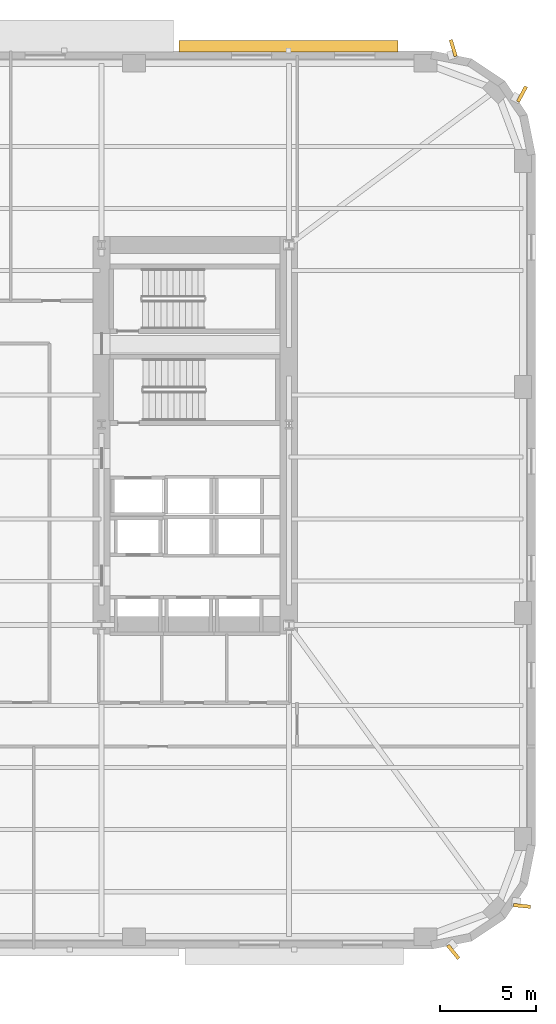
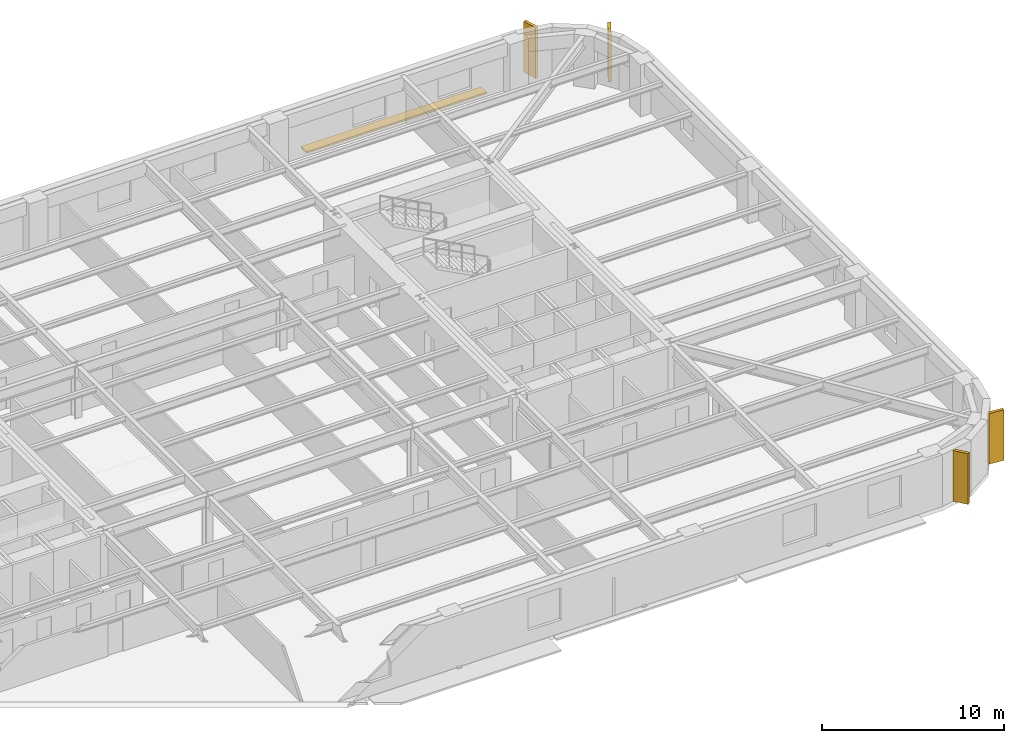
# One storey, part 15 of 15: 5 shading devices.
"""IFC4 building model written with IfcOpenShell, lengths in metres."""

from ifc_helpers import new_model, si_unit, direction, frame, origin, origin_2d, place, context, subcontext, project, spatial, rectangle, extrude, material, type_object, element, save


model = new_model("IFC4")

# Units and contexts
model_context = context("Model", 3, precision=1e-05, world=origin(), true_north=direction((0.0, 1.0)))
body_context = subcontext(model_context, "Body", "Model", "MODEL_VIEW")
ifc_project = project(units=[si_unit("LENGTHUNIT", "METRE"), si_unit("AREAUNIT", "SQUARE_METRE"), si_unit("VOLUMEUNIT", "CUBIC_METRE"), si_unit("PLANEANGLEUNIT", "RADIAN"), si_unit("MASSUNIT", "GRAM", prefix="KILO")], contexts=[model_context])

# Site, building, storey
site_placement = place(None, origin())
site = spatial("IfcSite", under=ifc_project, at=site_placement, CompositionType="ELEMENT")
building_placement = place(site_placement, origin())
building = spatial("IfcBuilding", under=site, at=building_placement, Name="Kolvaren Arena Tower", CompositionType="ELEMENT")
storey_placement = place(building_placement, frame((0.0, 0.0, 60.75)))
storey = spatial("IfcBuildingStorey", under=building, at=storey_placement, Name="L12", CompositionType="ELEMENT", Elevation=60.75)

# Shading devices
ifc_material_1 = material(Name="Precast architectural concrete C50/60 rib fin", Category="concrete")
shading_device_type_1 = type_object("IfcShadingDeviceType", Name="SHAD-FIN-28", PredefinedType="USERDEFINED", material=ifc_material_1)
for number, where, z_axis, x_axis, name in (
    (1, (68.95361328125, 2.3525390625, 0.02001953125), (0.0, 0.0, 1.0), (0.632722898811, -0.774378288254, 0.0), "Precast 28-Deg Corner Rib Fin (L12)"),
    (2, (72.552978515625, 4.757568359375, 0.02001953125), (0.0, 0.0, 1.0), (0.994971840066, -0.100155067151, 0.0), "Precast 28-Deg Corner Rib Fin (L12)"),
    (3, (72.552978515625, 47.242431640625, 0.02001953125), (0.0, 0.0, 1.0), (0.473348878368, 0.880875041846, 0.0), "Precast 28-Deg Corner Rib Fin (L12)"),
    (4, (68.95361328125, 49.6474609375, 0.02001953125), (0.0, 0.0, 1.0), (-0.288174541455, 0.957577899524, 0.0), "Precast 28-Deg Corner Rib Fin (L12)"),
):
    element("IfcShadingDevice", number, at=place(storey_placement, frame(where, z_axis=z_axis, x_axis=x_axis)), inside=storey, type_object=shading_device_type_1, Name=name, ObjectType="FIN", PredefinedType="USERDEFINED", context=body_context, shape_type="SweptSolid", body=[
        extrude(rectangle(XDim=0.89990234375, YDim=0.179931640625, at=origin_2d()), origin(), (0.0, 0.0, 1.0), 3.39990234375),
    ])
ifc_material_2 = material(Name="Architectural precast GFRC and anodised aluminium sunshade", Category="concrete")
shading_device_type_2 = type_object("IfcShadingDeviceType", Name="SHAD-SINE-A", PredefinedType="USERDEFINED", material=ifc_material_2)
shading_device_placement = place(storey_placement, frame((60.330078125, 49.75, -0.14013671875), z_axis=(0.0, 0.0, 1.0), x_axis=(1.0, 0.0, 0.0)))
element("IfcShadingDevice", 5, at=shading_device_placement, inside=storey, type_object=shading_device_type_2, Name="Sinusoidal Slab-Edge Sunshade Louvre (L12)", ObjectType="LOUVRE", PredefinedType="USERDEFINED", context=body_context, shape_type="SweptSolid", body=[
    extrude(rectangle(XDim=11.43994140625, YDim=0.599853515625, at=origin_2d()), origin(), (0.0, 0.0, 1.0), 0.1201171875),
])

save(model, "model.ifc")
